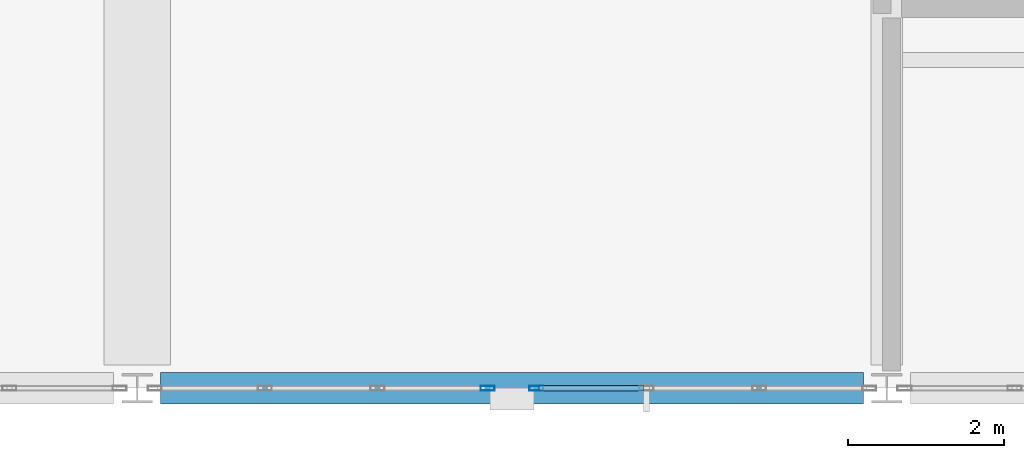
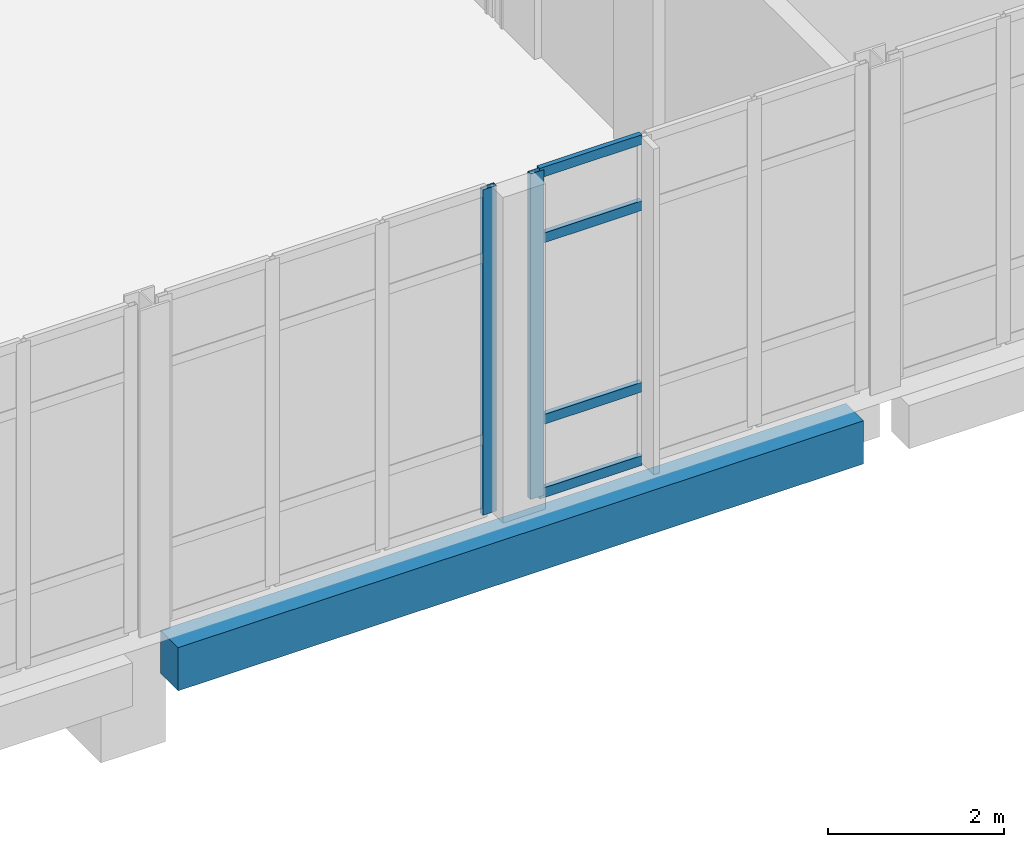
# One storey, part 14 of 102: 6 members, 1 beam, 2 elements without a shape of their own.
"""IFC4 building model written with IfcOpenShell, lengths in metres."""

from ifc_helpers import new_model, si_unit, direction, frame, origin, origin_2d, place, context, subcontext, project, spatial, rectangle, hollow_rectangle, extrude, material, layer, layer_set, material_profile, profile_set, type_object, element, aggregate, save


model = new_model("IFC4")

# Units and contexts
model_context = context("Model", 3, precision=1e-05, world=origin(), true_north=direction((0.0, 1.0)))
body_context = subcontext(model_context, "Body", "Model", "MODEL_VIEW")
ifc_project = project(units=[si_unit("LENGTHUNIT", "METRE"), si_unit("AREAUNIT", "SQUARE_METRE"), si_unit("VOLUMEUNIT", "CUBIC_METRE"), si_unit("PLANEANGLEUNIT", "RADIAN"), si_unit("MASSUNIT", "GRAM", prefix="KILO")], contexts=[model_context])

# Site, building, storey
site_placement = place(None, origin())
site = spatial("IfcSite", under=ifc_project, at=site_placement, CompositionType="ELEMENT")
building_placement = place(site_placement, origin())
building = spatial("IfcBuilding", under=site, at=building_placement, Name="Lornevale Opera House", CompositionType="ELEMENT")
storey_placement = place(building_placement, frame((0.0, 0.0, 5.39990234375)))
storey = spatial("IfcBuildingStorey", under=building, at=storey_placement, Name="L02", CompositionType="ELEMENT", Elevation=5.39990234375)

# Beam
ifc_material_1 = material(Name="Concrete 35 MPa (CSA A23.1 N)", Category="concrete")
ifc_material_profile_1 = material_profile(ifc_material_1, rectangle(XDim=0.39990234375, YDim=0.60009765625, at=origin_2d()), Name="RC400x600")
ifc_profile_set_1 = profile_set([ifc_material_profile_1], Name="Concrete 35 MPa (CSA A23.1 N)")
beam_type = type_object("IfcBeamType", Name="Concrete Spandrel Beam 400x600", PredefinedType="SPANDREL", material=ifc_profile_set_1)
beam_placement = place(storey_placement, frame((9.89990234375, 0.0, -0.599853515625), z_axis=(1.0, 0.0, 0.0), x_axis=(0.0, 1.0, 0.0)))
element("IfcBeam", 1, at=beam_placement, inside=storey, type_object=beam_type, Name="Concrete Spandrel Beam 400x600 1672", PredefinedType="SPANDREL", context=body_context, shape_type="SweptSolid", body=[
    extrude(rectangle(XDim=0.39990234375, YDim=0.60009765625, at=origin_2d()), origin(), (0.0, 0.0, 1.0), 9.0),
])

# Curtain wall, member
ifc_material_2 = material(Name="Anodized Oxide-Green Aluminium Framing", Category="aluminium")
ifc_layer = layer(ifc_material_2, 0.175048828125)
ifc_layer_set = layer_set([ifc_layer], Name="Anodized Oxide-Green Aluminium Framing")
curtain_wall_type = type_object("IfcCurtainWallType", Name="Chamber Cloister Curtain Wall M1700", PredefinedType="NOTDEFINED", material=ifc_layer_set)
curtain_wall_1_placement = place(storey_placement, origin())
curtain_wall_1 = element("IfcCurtainWall", 2, at=curtain_wall_1_placement, inside=storey, type_object=curtain_wall_type, Name="Chamber Cloister Curtain Wall M1700 CW-029", PredefinedType="NOTDEFINED")
ifc_material_profile_2 = material_profile(ifc_material_2, hollow_rectangle(XDim=0.06494140625, YDim=0.179931640625, WallThickness=0.0048828125, at=origin_2d()), Name="ALU65x180x5")
ifc_profile_set_2 = profile_set([ifc_material_profile_2], Name="Anodized Oxide-Green Aluminium Framing")
member_type_1 = type_object("IfcMemberType", Name="Curtain Wall Mullion 65x180", PredefinedType="MULLION", material=ifc_profile_set_2)
member_1_placement = place(storey_placement, frame((14.71240234375, 0.0, 0.0), z_axis=(0.0, 0.0, 1.0), x_axis=(0.0, -1.0, 0.0)))
member_1 = element("IfcMember", 3, at=member_1_placement, type_object=member_type_1, Name="Curtain Wall Mullion 65x180 CW0536", PredefinedType="MULLION", context=body_context, shape_type="SweptSolid", body=[
    extrude(hollow_rectangle(XDim=0.06494140625, YDim=0.179931640625, WallThickness=0.0048828125, at=origin_2d()), origin(), (0.0, 0.0, 1.0), 4.52001953125),
])

curtain_wall_2_placement = place(storey_placement, origin())
curtain_wall_2 = element("IfcCurtainWall", 4, at=curtain_wall_2_placement, inside=storey, type_object=curtain_wall_type, Name="Chamber Cloister Curtain Wall M1700 CW-030", PredefinedType="NOTDEFINED")
member_2_placement = place(storey_placement, frame((14.08740234375, 0.0, 0.0), z_axis=(0.0, 0.0, 1.0), x_axis=(0.0, -1.0, 0.0)))
member_2 = element("IfcMember", 5, at=member_2_placement, type_object=member_type_1, Name="Curtain Wall Mullion 65x180 CW0558", PredefinedType="MULLION", context=body_context, shape_type="SweptSolid", body=[
    extrude(hollow_rectangle(XDim=0.06494140625, YDim=0.179931640625, WallThickness=0.0048828125, at=origin_2d()), origin(), (0.0, 0.0, 1.0), 4.52001953125),
])
aggregate(curtain_wall_2, [member_2])

# Member
ifc_material_profile_3 = material_profile(ifc_material_2, hollow_rectangle(XDim=0.06494140625, YDim=0.135009765625, WallThickness=0.00390625, at=origin_2d()), Name="ALU65x135x4")
ifc_profile_set_3 = profile_set([ifc_material_profile_3], Name="Anodized Oxide-Green Aluminium Framing")
member_type_2 = type_object("IfcMemberType", Name="Curtain Wall Transom 65x135", PredefinedType="USERDEFINED", material=ifc_profile_set_3)
member_3_placement = place(storey_placement, frame((16.08984375, 0.0, 0.03271484375), z_axis=(-1.0, 0.0, 0.0), x_axis=(0.0, -1.0, 0.0)))
member_3 = element("IfcMember", 6, at=member_3_placement, type_object=member_type_2, Name="Curtain Wall Transom 65x135 CW0551", ObjectType="TRANSOM", PredefinedType="USERDEFINED", context=body_context, shape_type="SweptSolid", body=[
    extrude(hollow_rectangle(XDim=0.06494140625, YDim=0.135009765625, WallThickness=0.00390625, at=origin_2d()), origin(), (0.0, 0.0, 1.0), 1.3447265625),
])

member_4_placement = place(storey_placement, frame((16.08984375, 0.0, 1.050048828125), z_axis=(-1.0, 0.0, 0.0), x_axis=(0.0, -1.0, 0.0)))
member_4 = element("IfcMember", 7, at=member_4_placement, type_object=member_type_2, Name="Curtain Wall Transom 65x135 CW0552", ObjectType="TRANSOM", PredefinedType="USERDEFINED", context=body_context, shape_type="SweptSolid", body=[
    extrude(hollow_rectangle(XDim=0.06494140625, YDim=0.135009765625, WallThickness=0.00390625, at=origin_2d()), origin(), (0.0, 0.0, 1.0), 1.3447265625),
])

member_5_placement = place(storey_placement, frame((16.08984375, 0.0, 3.570068359375), z_axis=(-1.0, 0.0, 0.0), x_axis=(0.0, -1.0, 0.0)))
member_5 = element("IfcMember", 8, at=member_5_placement, type_object=member_type_2, Name="Curtain Wall Transom 65x135 CW0553", ObjectType="TRANSOM", PredefinedType="USERDEFINED", context=body_context, shape_type="SweptSolid", body=[
    extrude(hollow_rectangle(XDim=0.06494140625, YDim=0.135009765625, WallThickness=0.00390625, at=origin_2d()), origin(), (0.0, 0.0, 1.0), 1.3447265625),
])

member_6_placement = place(storey_placement, frame((16.08984375, 0.0, 4.487548828125), z_axis=(-1.0, 0.0, 0.0), x_axis=(0.0, -1.0, 0.0)))
member_6 = element("IfcMember", 9, at=member_6_placement, type_object=member_type_2, Name="Curtain Wall Transom 65x135 CW0554", ObjectType="TRANSOM", PredefinedType="USERDEFINED", context=body_context, shape_type="SweptSolid", body=[
    extrude(hollow_rectangle(XDim=0.06494140625, YDim=0.135009765625, WallThickness=0.00390625, at=origin_2d()), origin(), (0.0, 0.0, 1.0), 1.3447265625),
])

aggregate(curtain_wall_1, [member_1, member_3, member_4, member_5, member_6])

save(model, "model.ifc")
